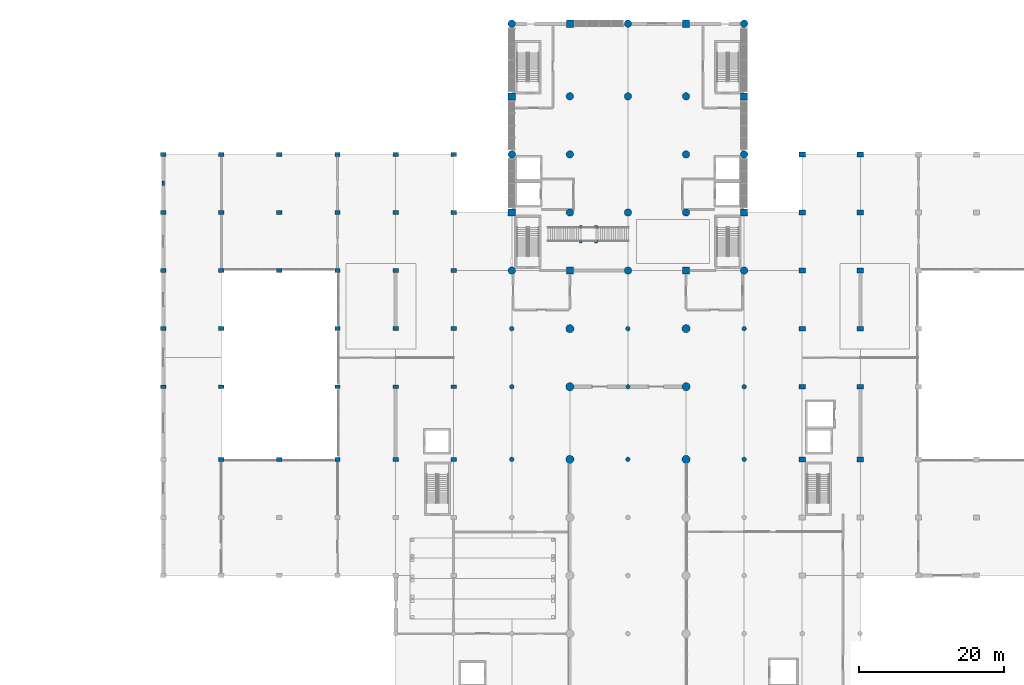
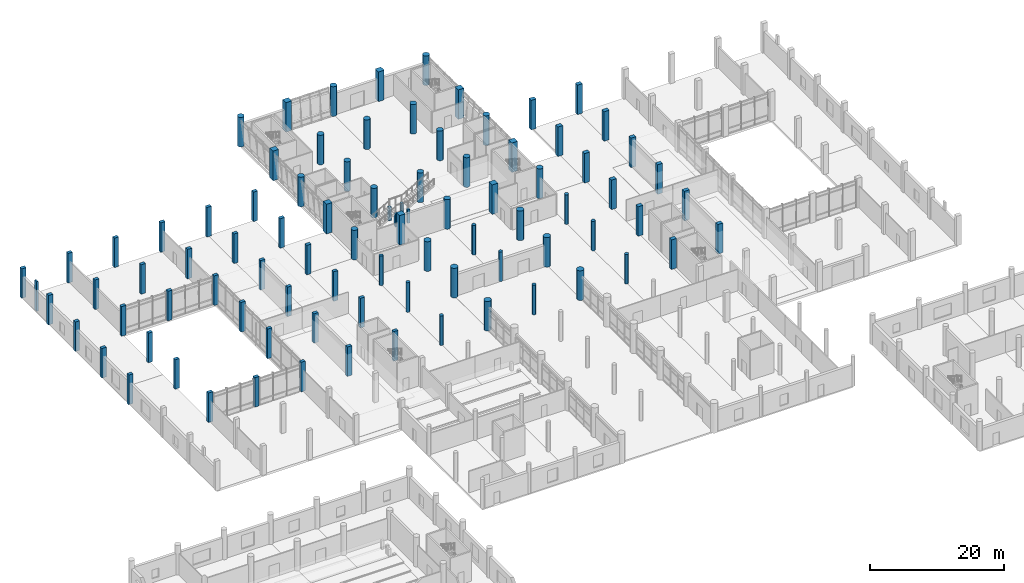
# One storey, part 2 of 42: 89 columns.
"""IFC4 building model written with IfcOpenShell, lengths in metres."""

from ifc_helpers import new_model, si_unit, direction, frame, origin, origin_2d, place, context, subcontext, project, spatial, rectangle, circle, extrude, material, material_profile, profile_set, type_object, element, save


model = new_model("IFC4")

# Units and contexts
model_context = context("Model", 3, precision=1e-05, world=origin(), true_north=direction((0.0, 1.0)))
body_context = subcontext(model_context, "Body", "Model", "MODEL_VIEW")
ifc_project = project(units=[si_unit("LENGTHUNIT", "METRE"), si_unit("AREAUNIT", "SQUARE_METRE"), si_unit("VOLUMEUNIT", "CUBIC_METRE"), si_unit("PLANEANGLEUNIT", "RADIAN"), si_unit("MASSUNIT", "GRAM", prefix="KILO")], contexts=[model_context])

# Site, building, storey
site_placement = place(None, origin())
site = spatial("IfcSite", under=ifc_project, at=site_placement, CompositionType="ELEMENT")
building_placement = place(site_placement, origin())
building = spatial("IfcBuilding", under=site, at=building_placement, Name="Pecanmere Concourse Central Library", CompositionType="ELEMENT")
storey_placement = place(building_placement, origin())
storey = spatial("IfcBuildingStorey", under=building, at=storey_placement, Name="L01", CompositionType="ELEMENT", Elevation=0.0)

# Columns
ifc_material_1 = material(Name="Concrete C40/50", Category="concrete")
ifc_material_profile_1 = material_profile(ifc_material_1, circle(Radius=0.510009765625, at=origin_2d()), Name="RC D1020")
ifc_profile_set_1 = profile_set([ifc_material_profile_1], Name="Concrete C40/50")
column_type_1 = type_object("IfcColumnType", Name="COL_CIRC_1020", PredefinedType="COLUMN", material=ifc_profile_set_1)
for number, where, z_axis, x_axis, name in (
    (1, (72.0, 90.0, 0.0), (0.0, 0.0, 1.0), (1.0, 0.0, 0.0), "Column CC-02 L01-092"),
    (2, (72.0, 106.0, 0.0), (0.0, 0.0, 1.0), (1.0, 0.0, 0.0), "Column CC-02 L01-094"),
    (3, (72.0, 124.0, 0.0), (0.0, 0.0, 1.0), (1.0, 0.0, 0.0), "Column CC-02 L01-096"),
    (4, (80.0, 98.0, 0.0), (0.0, 0.0, 1.0), (1.0, 0.0, 0.0), "Column CC-02 L01-106"),
    (5, (80.0, 106.0, 0.0), (0.0, 0.0, 1.0), (1.0, 0.0, 0.0), "Column CC-02 L01-107"),
    (6, (80.0, 114.0, 0.0), (0.0, 0.0, 1.0), (1.0, 0.0, 0.0), "Column CC-02 L01-108"),
    (7, (88.0, 90.0, 0.0), (0.0, 0.0, 1.0), (1.0, 0.0, 0.0), "Column CC-02 L01-117"),
    (8, (88.0, 98.0, 0.0), (0.0, 0.0, 1.0), (1.0, 0.0, 0.0), "Column CC-02 L01-118"),
    (9, (88.0, 114.0, 0.0), (0.0, 0.0, 1.0), (1.0, 0.0, 0.0), "Column CC-02 L01-119"),
    (10, (88.0, 124.0, 0.0), (0.0, 0.0, 1.0), (1.0, 0.0, 0.0), "Column CC-02 L01-120"),
    (11, (96.0, 98.0, 0.0), (0.0, 0.0, 1.0), (1.0, 0.0, 0.0), "Column CC-02 L01-130"),
    (12, (96.0, 106.0, 0.0), (0.0, 0.0, 1.0), (1.0, 0.0, 0.0), "Column CC-02 L01-131"),
    (13, (96.0, 114.0, 0.0), (0.0, 0.0, 1.0), (1.0, 0.0, 0.0), "Column CC-02 L01-132"),
    (14, (104.0, 90.0, 0.0), (0.0, 0.0, 1.0), (1.0, 0.0, 0.0), "Column CC-02 L01-142"),
    (15, (104.0, 106.0, 0.0), (0.0, 0.0, 1.0), (1.0, 0.0, 0.0), "Column CC-02 L01-144"),
    (16, (104.0, 124.0, 0.0), (0.0, 0.0, 1.0), (1.0, 0.0, 0.0), "Column CC-02 L01-146"),
):
    element("IfcColumn", number, at=place(storey_placement, frame(where, z_axis=z_axis, x_axis=x_axis)), inside=storey, type_object=column_type_1, Name=name, PredefinedType="COLUMN", context=body_context, shape_type="SweptSolid", body=[
        extrude(circle(Radius=0.510009765625, at=origin_2d()), origin(), (0.0, 0.0, 1.0), 5.39990234375),
    ])
ifc_material_2 = material(Name="Concrete C40/50", Category="concrete")
ifc_material_profile_2 = material_profile(ifc_material_2, circle(Radius=0.56005859375, at=origin_2d()), Name="RC D1120")
ifc_profile_set_2 = profile_set([ifc_material_profile_2], Name="Concrete C40/50")
column_type_2 = type_object("IfcColumnType", Name="COL_CIRC_1120", PredefinedType="COLUMN", material=ifc_profile_set_2)
for number, where, z_axis, x_axis, name in (
    (17, (80.0, 64.0, 0.0), (0.0, 0.0, 1.0), (1.0, 0.0, 0.0), "Column CC-01 L01-102"),
    (18, (80.0, 74.0, 0.0), (0.0, 0.0, 1.0), (1.0, 0.0, 0.0), "Column CC-01 L01-103"),
    (19, (80.0, 82.0, 0.0), (0.0, 0.0, 1.0), (1.0, 0.0, 0.0), "Column CC-01 L01-104"),
    (20, (96.0, 64.0, 0.0), (0.0, 0.0, 1.0), (1.0, 0.0, 0.0), "Column CC-01 L01-126"),
    (21, (96.0, 74.0, 0.0), (0.0, 0.0, 1.0), (1.0, 0.0, 0.0), "Column CC-01 L01-127"),
    (22, (96.0, 82.0, 0.0), (0.0, 0.0, 1.0), (1.0, 0.0, 0.0), "Column CC-01 L01-128"),
):
    element("IfcColumn", number, at=place(storey_placement, frame(where, z_axis=z_axis, x_axis=x_axis)), inside=storey, type_object=column_type_2, Name=name, PredefinedType="COLUMN", context=body_context, shape_type="SweptSolid", body=[
        extrude(circle(Radius=0.56005859375, at=origin_2d()), origin(), (0.0, 0.0, 1.0), 5.39990234375),
    ])
ifc_material_3 = material(Name="Concrete C40/50", Category="concrete")
ifc_material_profile_3 = material_profile(ifc_material_3, circle(Radius=0.31005859375, at=origin_2d()), Name="RC D620")
ifc_profile_set_3 = profile_set([ifc_material_profile_3], Name="Concrete C40/50")
column_type_3 = type_object("IfcColumnType", Name="COL_CIRC_620", PredefinedType="COLUMN", material=ifc_profile_set_3)
for number, where, z_axis, x_axis, name in (
    (23, (72.0, 64.0, 0.0), (0.0, 0.0, 1.0), (1.0, 0.0, 0.0), "Column CC-07 L01-089"),
    (24, (72.0, 74.0, 0.0), (0.0, 0.0, 1.0), (1.0, 0.0, 0.0), "Column CC-07 L01-090"),
    (25, (72.0, 82.0, 0.0), (0.0, 0.0, 1.0), (1.0, 0.0, 0.0), "Column CC-07 L01-091"),
    (26, (88.0, 64.0, 0.0), (0.0, 0.0, 1.0), (1.0, 0.0, 0.0), "Column CC-07 L01-114"),
    (27, (88.0, 74.0, 0.0), (0.0, 0.0, 1.0), (1.0, 0.0, 0.0), "Column CC-07 L01-115"),
    (28, (88.0, 82.0, 0.0), (0.0, 0.0, 1.0), (1.0, 0.0, 0.0), "Column CC-07 L01-116"),
    (29, (104.0, 64.0, 0.0), (0.0, 0.0, 1.0), (1.0, 0.0, 0.0), "Column CC-07 L01-139"),
    (30, (104.0, 74.0, 0.0), (0.0, 0.0, 1.0), (1.0, 0.0, 0.0), "Column CC-07 L01-140"),
    (31, (104.0, 82.0, 0.0), (0.0, 0.0, 1.0), (1.0, 0.0, 0.0), "Column CC-07 L01-141"),
):
    element("IfcColumn", number, at=place(storey_placement, frame(where, z_axis=z_axis, x_axis=x_axis)), inside=storey, type_object=column_type_3, Name=name, PredefinedType="COLUMN", context=body_context, shape_type="SweptSolid", body=[
        extrude(circle(Radius=0.31005859375, at=origin_2d()), origin(), (0.0, 0.0, 1.0), 5.39990234375),
    ])
ifc_material_4 = material(Name="Concrete C40/50", Category="concrete")
ifc_material_profile_4 = material_profile(ifc_material_4, rectangle(XDim=0.39990234375, YDim=0.39990234375, at=origin_2d()), Name="RC 400x400")
ifc_profile_set_4 = profile_set([ifc_material_profile_4], Name="Concrete C40/50")
column_type_4 = type_object("IfcColumnType", Name="COL_RC_400x400", PredefinedType="COLUMN", material=ifc_profile_set_4)
for number, where, z_axis, x_axis, name in (
    (32, (81.5, 94.02490234375, 0.0), (0.0, 0.0, 1.0), (1.0, 0.0, 0.0), "ST-M2 Landing Column 1"),
    (33, (83.60009765625, 94.02490234375, 0.0), (0.0, 0.0, 1.0), (1.0, 0.0, 0.0), "ST-M2 Landing Column 2"),
    (34, (83.60009765625, 95.97509765625, 0.0), (0.0, 0.0, 1.0), (1.0, 0.0, 0.0), "ST-M2 Landing Column 3"),
    (35, (81.5, 95.97509765625, 0.0), (0.0, 0.0, 1.0), (1.0, 0.0, 0.0), "ST-M2 Landing Column 4"),
):
    element("IfcColumn", number, at=place(storey_placement, frame(where, z_axis=z_axis, x_axis=x_axis)), inside=storey, type_object=column_type_4, Name=name, PredefinedType="COLUMN", context=body_context, shape_type="SweptSolid", body=[
        extrude(rectangle(XDim=0.39990234375, YDim=0.39990234375, at=origin_2d()), origin(), (0.0, 0.0, 1.0), 2.4599609375),
    ])
ifc_material_5 = material(Name="Concrete C40/50", Category="concrete")
ifc_material_profile_5 = material_profile(ifc_material_5, rectangle(XDim=0.739990234375, YDim=0.5400390625, at=origin_2d()), Name="RC 740x540")
ifc_profile_set_5 = profile_set([ifc_material_profile_5], Name="Concrete C40/50")
column_type_5 = type_object("IfcColumnType", Name="COL_RC_740x540", PredefinedType="COLUMN", material=ifc_profile_set_5)
for number, where, z_axis, x_axis, name in (
    (36, (24.0, 74.0, 0.0), (0.0, 0.0, 1.0), (1.0, 0.0, 0.0), "Column C-16 L01-022"),
    (37, (24.0, 82.0, 0.0), (0.0, 0.0, 1.0), (1.0, 0.0, 0.0), "Column C-16 L01-023"),
    (38, (24.0, 90.0, 0.0), (0.0, 0.0, 1.0), (1.0, 0.0, 0.0), "Column C-16 L01-024"),
    (39, (24.0, 98.0, 0.0), (0.0, 0.0, 1.0), (1.0, 0.0, 0.0), "Column C-16 L01-025"),
    (40, (24.0, 106.0, 0.0), (0.0, 0.0, 1.0), (1.0, 0.0, 0.0), "Column C-16 L01-026"),
    (41, (32.0, 64.0, 0.0), (0.0, 0.0, 1.0), (1.0, 0.0, 0.0), "Column C-16 L01-033"),
    (42, (32.0, 74.0, 0.0), (0.0, 0.0, 1.0), (1.0, 0.0, 0.0), "Column C-16 L01-034"),
    (43, (32.0, 82.0, 0.0), (0.0, 0.0, 1.0), (1.0, 0.0, 0.0), "Column C-16 L01-035"),
    (44, (32.0, 90.0, 0.0), (0.0, 0.0, 1.0), (1.0, 0.0, 0.0), "Column C-16 L01-036"),
    (45, (32.0, 98.0, 0.0), (0.0, 0.0, 1.0), (1.0, 0.0, 0.0), "Column C-16 L01-037"),
    (46, (32.0, 106.0, 0.0), (0.0, 0.0, 1.0), (1.0, 0.0, 0.0), "Column C-16 L01-038"),
    (47, (40.0, 64.0, 0.0), (0.0, 0.0, 1.0), (1.0, 0.0, 0.0), "Column C-16 L01-046"),
    (48, (40.0, 90.0, 0.0), (0.0, 0.0, 1.0), (1.0, 0.0, 0.0), "Column C-16 L01-047"),
    (49, (40.0, 98.0, 0.0), (0.0, 0.0, 1.0), (1.0, 0.0, 0.0), "Column C-16 L01-048"),
    (50, (40.0, 106.0, 0.0), (0.0, 0.0, 1.0), (1.0, 0.0, 0.0), "Column C-16 L01-049"),
    (51, (48.0, 64.0, 0.0), (0.0, 0.0, 1.0), (1.0, 0.0, 0.0), "Column C-16 L01-057"),
    (52, (48.0, 74.0, 0.0), (0.0, 0.0, 1.0), (1.0, 0.0, 0.0), "Column C-16 L01-058"),
    (53, (48.0, 82.0, 0.0), (0.0, 0.0, 1.0), (1.0, 0.0, 0.0), "Column C-16 L01-059"),
    (54, (48.0, 90.0, 0.0), (0.0, 0.0, 1.0), (1.0, 0.0, 0.0), "Column C-16 L01-060"),
    (55, (48.0, 98.0, 0.0), (0.0, 0.0, 1.0), (1.0, 0.0, 0.0), "Column C-16 L01-061"),
    (56, (48.0, 106.0, 0.0), (0.0, 0.0, 1.0), (1.0, 0.0, 0.0), "Column C-16 L01-062"),
    (57, (56.0, 64.0, 0.0), (0.0, 0.0, 1.0), (1.0, 0.0, 0.0), "Column C-16 L01-068"),
    (58, (56.0, 74.0, 0.0), (0.0, 0.0, 1.0), (1.0, 0.0, 0.0), "Column C-16 L01-069"),
    (59, (56.0, 82.0, 0.0), (0.0, 0.0, 1.0), (1.0, 0.0, 0.0), "Column C-16 L01-070"),
    (60, (56.0, 90.0, 0.0), (0.0, 0.0, 1.0), (1.0, 0.0, 0.0), "Column C-16 L01-071"),
    (61, (56.0, 98.0, 0.0), (0.0, 0.0, 1.0), (1.0, 0.0, 0.0), "Column C-16 L01-072"),
    (62, (56.0, 106.0, 0.0), (0.0, 0.0, 1.0), (1.0, 0.0, 0.0), "Column C-16 L01-073"),
    (63, (64.0, 64.0, 0.0), (0.0, 0.0, 1.0), (1.0, 0.0, 0.0), "Column C-16 L01-079"),
    (64, (64.0, 74.0, 0.0), (0.0, 0.0, 1.0), (1.0, 0.0, 0.0), "Column C-16 L01-080"),
    (65, (64.0, 82.0, 0.0), (0.0, 0.0, 1.0), (1.0, 0.0, 0.0), "Column C-16 L01-081"),
    (66, (64.0, 90.0, 0.0), (0.0, 0.0, 1.0), (1.0, 0.0, 0.0), "Column C-16 L01-082"),
    (67, (64.0, 98.0, 0.0), (0.0, 0.0, 1.0), (1.0, 0.0, 0.0), "Column C-16 L01-083"),
    (68, (64.0, 106.0, 0.0), (0.0, 0.0, 1.0), (1.0, 0.0, 0.0), "Column C-16 L01-084"),
):
    element("IfcColumn", number, at=place(storey_placement, frame(where, z_axis=z_axis, x_axis=x_axis)), inside=storey, type_object=column_type_5, Name=name, PredefinedType="COLUMN", context=body_context, shape_type="SweptSolid", body=[
        extrude(rectangle(XDim=0.739990234375, YDim=0.5400390625, at=origin_2d()), origin(), (0.0, 0.0, 1.0), 5.39990234375),
    ])
ifc_material_6 = material(Name="Concrete C40/50", Category="concrete")
ifc_material_profile_6 = material_profile(ifc_material_6, rectangle(XDim=0.860107421875, YDim=0.659912109375, at=origin_2d()), Name="RC 860x660")
ifc_profile_set_6 = profile_set([ifc_material_profile_6], Name="Concrete C40/50")
column_type_6 = type_object("IfcColumnType", Name="COL_RC_860x660", PredefinedType="COLUMN", material=ifc_profile_set_6)
for number, where, z_axis, x_axis, name in (
    (69, (112.0, 64.0, 0.0), (0.0, 0.0, 1.0), (1.0, 0.0, 0.0), "Column C-14 L01-152"),
    (70, (112.0, 74.0, 0.0), (0.0, 0.0, 1.0), (1.0, 0.0, 0.0), "Column C-14 L01-153"),
    (71, (112.0, 82.0, 0.0), (0.0, 0.0, 1.0), (1.0, 0.0, 0.0), "Column C-14 L01-154"),
    (72, (112.0, 90.0, 0.0), (0.0, 0.0, 1.0), (1.0, 0.0, 0.0), "Column C-14 L01-155"),
    (73, (112.0, 98.0, 0.0), (0.0, 0.0, 1.0), (1.0, 0.0, 0.0), "Column C-14 L01-156"),
    (74, (112.0, 106.0, 0.0), (0.0, 0.0, 1.0), (1.0, 0.0, 0.0), "Column C-14 L01-157"),
    (75, (120.0, 64.0, 0.0), (0.0, 0.0, 1.0), (1.0, 0.0, 0.0), "Column C-14 L01-163"),
    (76, (120.0, 74.0, 0.0), (0.0, 0.0, 1.0), (1.0, 0.0, 0.0), "Column C-14 L01-164"),
    (77, (120.0, 82.0, 0.0), (0.0, 0.0, 1.0), (1.0, 0.0, 0.0), "Column C-14 L01-165"),
    (78, (120.0, 90.0, 0.0), (0.0, 0.0, 1.0), (1.0, 0.0, 0.0), "Column C-14 L01-166"),
    (79, (120.0, 98.0, 0.0), (0.0, 0.0, 1.0), (1.0, 0.0, 0.0), "Column C-14 L01-167"),
    (80, (120.0, 106.0, 0.0), (0.0, 0.0, 1.0), (1.0, 0.0, 0.0), "Column C-14 L01-168"),
):
    element("IfcColumn", number, at=place(storey_placement, frame(where, z_axis=z_axis, x_axis=x_axis)), inside=storey, type_object=column_type_6, Name=name, PredefinedType="COLUMN", context=body_context, shape_type="SweptSolid", body=[
        extrude(rectangle(XDim=0.860107421875, YDim=0.659912109375, at=origin_2d()), origin(), (0.0, 0.0, 1.0), 5.39990234375),
    ])
ifc_material_7 = material(Name="Concrete C40/50", Category="concrete")
ifc_material_profile_7 = material_profile(ifc_material_7, rectangle(XDim=0.97998046875, YDim=0.97998046875, at=origin_2d()), Name="RC 980x980")
ifc_profile_set_7 = profile_set([ifc_material_profile_7], Name="Concrete C40/50")
column_type_7 = type_object("IfcColumnType", Name="COL_RC_980x980", PredefinedType="COLUMN", material=ifc_profile_set_7)
for number, where, z_axis, x_axis, name in (
    (81, (72.0, 98.0, 0.0), (0.0, 0.0, 1.0), (1.0, 0.0, 0.0), "Column C-01 L01-093"),
    (82, (72.0, 114.0, 0.0), (0.0, 0.0, 1.0), (1.0, 0.0, 0.0), "Column C-01 L01-095"),
    (83, (80.0, 90.0, 0.0), (0.0, 0.0, 1.0), (1.0, 0.0, 0.0), "Column C-01 L01-105"),
    (84, (80.0, 124.0, 0.0), (0.0, 0.0, 1.0), (1.0, 0.0, 0.0), "Column C-01 L01-109"),
    (85, (96.0, 90.0, 0.0), (0.0, 0.0, 1.0), (1.0, 0.0, 0.0), "Column C-01 L01-129"),
    (86, (96.0, 124.0, 0.0), (0.0, 0.0, 1.0), (1.0, 0.0, 0.0), "Column C-01 L01-133"),
    (87, (104.0, 98.0, 0.0), (0.0, 0.0, 1.0), (1.0, 0.0, 0.0), "Column C-01 L01-143"),
    (88, (104.0, 114.0, 0.0), (0.0, 0.0, 1.0), (1.0, 0.0, 0.0), "Column C-01 L01-145"),
):
    element("IfcColumn", number, at=place(storey_placement, frame(where, z_axis=z_axis, x_axis=x_axis)), inside=storey, type_object=column_type_7, Name=name, PredefinedType="COLUMN", context=body_context, shape_type="SweptSolid", body=[
        extrude(rectangle(XDim=0.97998046875, YDim=0.97998046875, at=origin_2d()), origin(), (0.0, 0.0, 1.0), 5.39990234375),
    ])
ifc_material_8 = material(Name="Precast concrete C40/50", Category="concrete")
ifc_material_profile_8 = material_profile(ifc_material_8, rectangle(XDim=0.6201171875, YDim=0.31005859375, at=origin_2d()), Name="RC 620x310")
ifc_profile_set_8 = profile_set([ifc_material_profile_8], Name="Precast concrete C40/50")
column_type_8 = type_object("IfcColumnType", Name="PIL_620x310", PredefinedType="PILASTER", material=ifc_profile_set_8)
column_placement = place(storey_placement, frame((24.0, 102.0, 0.0), z_axis=(0.0, 0.0, 1.0), x_axis=(0.0, 1.0, 0.0)))
element("IfcColumn", 89, at=column_placement, inside=storey, type_object=column_type_8, Name="Classical Limestone Pilaster L01-02", PredefinedType="PILASTER", context=body_context, shape_type="SweptSolid", body=[
    extrude(rectangle(XDim=0.6201171875, YDim=0.31005859375, at=origin_2d()), origin(), (0.0, 0.0, 1.0), 5.39990234375),
])

save(model, "model.ifc")
